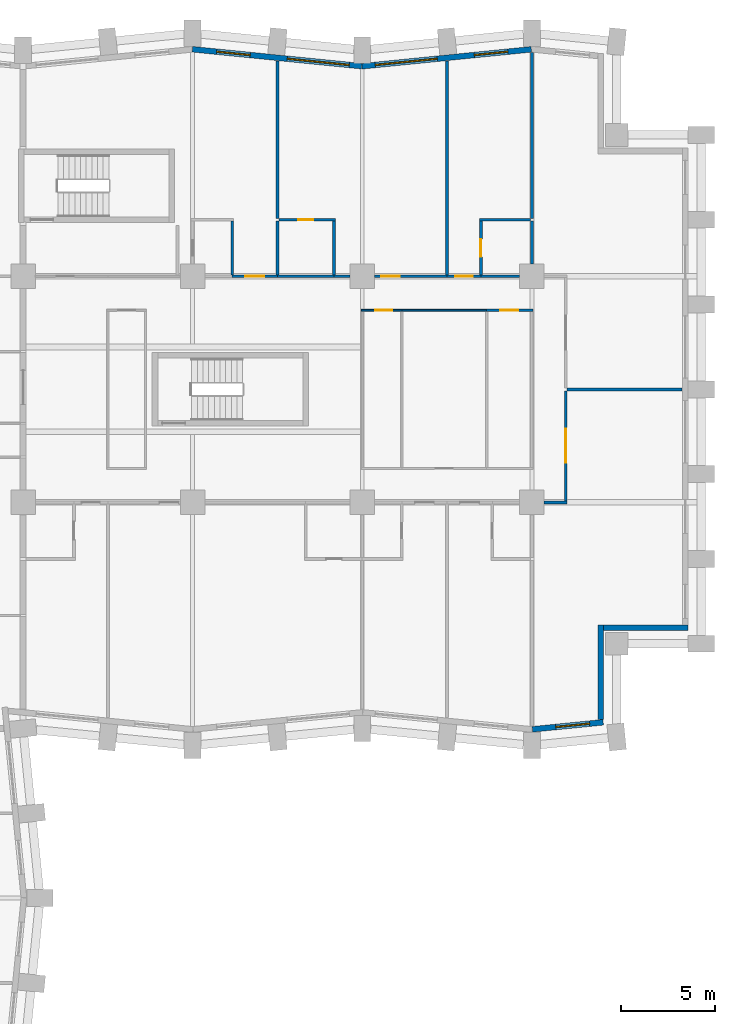
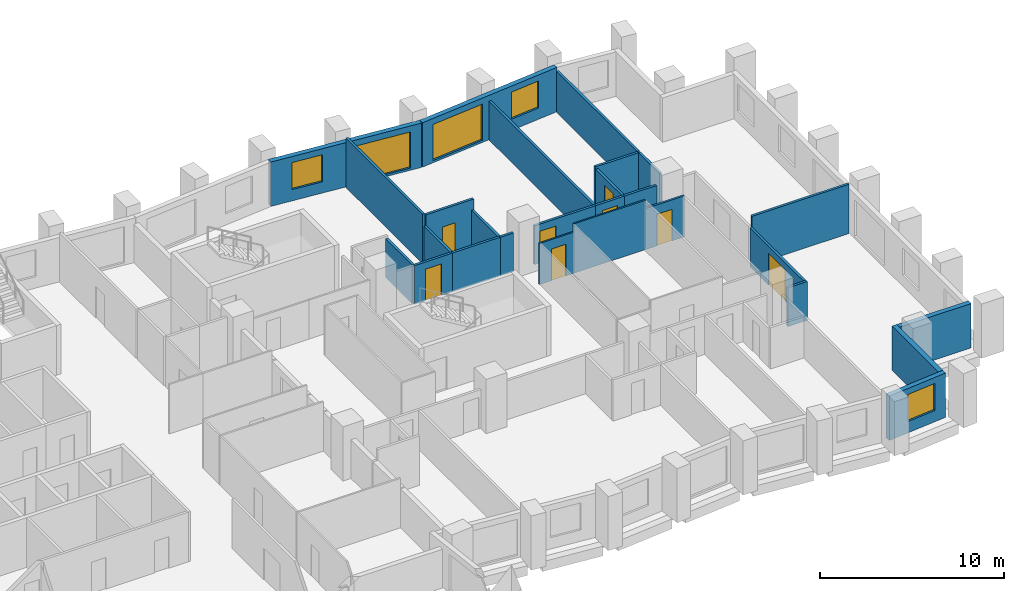
# One storey, part 9 of 12: 27 walls, 8 doors, 5 windows, 13 openings.
"""IFC4 building model written with IfcOpenShell, lengths in metres."""

from ifc_helpers import new_model, si_unit, direction, frame, frame_2d, origin, place, context, subcontext, project, spatial, rectangle, extrude, material, layer, layer_set, type_object, element, fill, save


model = new_model("IFC4")

# Units and contexts
model_context = context("Model", 3, precision=1e-05, world=origin(), true_north=direction((0.0, 1.0)))
body_context = subcontext(model_context, "Body", "Model", "MODEL_VIEW")
ifc_project = project(units=[si_unit("LENGTHUNIT", "METRE"), si_unit("AREAUNIT", "SQUARE_METRE"), si_unit("VOLUMEUNIT", "CUBIC_METRE"), si_unit("PLANEANGLEUNIT", "RADIAN"), si_unit("MASSUNIT", "GRAM", prefix="KILO")], contexts=[model_context])

# Site, building, storey
site_placement = place(None, origin())
site = spatial("IfcSite", under=ifc_project, at=site_placement, CompositionType="ELEMENT")
building_placement = place(site_placement, origin())
building = spatial("IfcBuilding", under=site, at=building_placement, Name="Brondeck Convention Tower", CompositionType="ELEMENT")
storey_placement = place(building_placement, frame((0.0, 0.0, 59.10009765625)))
storey = spatial("IfcBuildingStorey", under=building, at=storey_placement, Name="L12", CompositionType="ELEMENT", Elevation=59.10009765625)

# Wall, opening, window
ifc_material_1 = material(Name="Precast concrete C50/60 bronze finish", Category="concrete")
ifc_layer_1 = layer(ifc_material_1, 0.070068359375, Name="Bronze precast facing")
ifc_material_2 = material(Name="Mineral wool")
ifc_layer_2 = layer(ifc_material_2, 0.159912109375, Name="Insulation")
ifc_material_3 = material(Name="Concrete C35/45", Category="concrete")
ifc_layer_3 = layer(ifc_material_3, 0.070068359375, Name="Backing")
ifc_layer_set_1 = layer_set([ifc_layer_1, ifc_layer_2, ifc_layer_3], Name="External infill wall, precast concrete C50/60 bronze facing")
wall_type_1 = type_object("IfcWallType", Name="External infill wall, precast concrete C50/60 bronze facing", PredefinedType="SOLIDWALL", material=ifc_layer_set_1)
wall_1_placement = place(storey_placement, frame((66.78515625, 27.332763671875, 0.0), z_axis=(0.0, 0.0, 1.0), x_axis=(-0.995038471088, -0.099490909409, 0.0)))
wall_1 = element("IfcWall", 1, at=wall_1_placement, inside=storey, type_object=wall_type_1, Name="ENV-EW-L12-P0-A-S-06", PredefinedType="SOLIDWALL", context=body_context, shape_type="SweptSolid", body=[
    extrude(rectangle(XDim=3.774169921875, YDim=0.300048828125, at=frame_2d((1.88720703125, 0.0))), origin(), (0.0, 0.0, 1.0), 2.949951171875),
])
opening_1_placement = place(wall_1_placement, frame((0.727783203125, 0.0, 0.75)))
opening_1 = element("IfcOpeningElement", 2, at=opening_1_placement, cuts=wall_1, Name="Opening W10", PredefinedType="OPENING", context=body_context, shape_type="SweptSolid", body=[
    extrude(rectangle(XDim=1.800048828125, YDim=1.800048828125, at=frame_2d((0.89990234375, 0.89990234375))), frame((0.0, 0.159912109375, 0.0), z_axis=(0.0, -1.0, 0.0), x_axis=(1.0, 0.0, 0.0)), (0.0, 0.0, 1.0), 0.320068359375),
])
ifc_material_4 = material(Name="Bronze tinted double glazing", Category="glass")
window_type_1 = type_object("IfcWindowType", Name="Punched window, bronze tinted", PartitioningType="SINGLE_PANEL", PredefinedType="WINDOW", material=ifc_material_4)
window_1_placement = place(opening_1_placement, origin())
window_1 = element("IfcWindow", 3, at=window_1_placement, inside=storey, type_object=window_type_1, Name="ENV-WN-L12-P0-A-S-06", OverallHeight=1.800048828125, OverallWidth=1.800048828125, PartitioningType="SINGLE_PANEL", PredefinedType="WINDOW", context=body_context, shape_type="SweptSolid", body=[
    extrude(rectangle(XDim=1.800048828125, YDim=1.800048828125, at=frame_2d((0.89990234375, 0.89990234375))), frame((0.0, 0.030029296875, 0.0), z_axis=(0.0, -1.0, 0.0), x_axis=(1.0, 0.0, 0.0)), (0.0, 0.0, 1.0), 0.06005859375),
])
fill(opening_1, window_1)

# Walls
wall_2_placement = place(storey_placement, frame((66.64990234375, 32.5, 0.0), z_axis=(0.0, 0.0, 1.0), x_axis=(0.0, -1.0, 0.0)))
element("IfcWall", 4, at=wall_2_placement, inside=storey, type_object=wall_type_1, Name="ENV-EW-L12-P0-NC-SEA72-01", PredefinedType="SOLIDWALL", context=body_context, shape_type="SweptSolid", body=[
    extrude(rectangle(XDim=5.02880859375, YDim=0.300048828125, at=frame_2d((2.514404296875, 0.0))), origin(), (0.0, 0.0, 1.0), 2.949951171875),
])
wall_3_placement = place(storey_placement, frame((71.300048828125, 32.35009765625, 0.0), z_axis=(0.0, 0.0, 1.0), x_axis=(-1.0, 0.0, 0.0)))
element("IfcWall", 5, at=wall_3_placement, inside=storey, type_object=wall_type_1, Name="ENV-EW-L12-P0-NC-SEA72-02", PredefinedType="SOLIDWALL", context=body_context, shape_type="SweptSolid", body=[
    extrude(rectangle(XDim=4.5, YDim=0.300048828125, at=frame_2d((2.25, 0.0))), origin(), (0.0, 0.0, 1.0), 2.949951171875),
])

# Wall, openings, windows
wall_4_placement = place(storey_placement, frame((53.985107421875, 62.144287109375, 0.0), z_axis=(0.0, 0.0, 1.0), x_axis=(0.995037993253, 0.099495688264, 0.0)))
wall_4 = element("IfcWall", 6, at=wall_4_placement, inside=storey, type_object=wall_type_1, Name="ENV-EW-L12-P0-A-N-13", PredefinedType="SOLIDWALL", context=body_context, shape_type="SweptSolid", body=[
    extrude(rectangle(XDim=9.030029296875, YDim=0.300048828125, at=frame_2d((4.51513671875, 0.0))), origin(), (0.0, 0.0, 1.0), 2.949951171875),
])
opening_2_placement = place(wall_4_placement, frame((0.711181640625, 0.0, 0.14990234375)))
opening_2 = element("IfcOpeningElement", 7, at=opening_2_placement, cuts=wall_4, Name="Opening W9", PredefinedType="OPENING", context=body_context, shape_type="SweptSolid", body=[
    extrude(rectangle(XDim=3.300048828125, YDim=2.39990234375, at=frame_2d((1.64990234375, 1.199951171875))), frame((0.0, 0.159912109375, 0.0), z_axis=(0.0, -1.0, 0.0), x_axis=(1.0, 0.0, 0.0)), (0.0, 0.0, 1.0), 0.320068359375),
])
opening_3_placement = place(wall_4_placement, frame((5.983642578125, 0.0, 0.75)))
opening_3 = element("IfcOpeningElement", 8, at=opening_3_placement, cuts=wall_4, Name="Opening W10", PredefinedType="OPENING", context=body_context, shape_type="SweptSolid", body=[
    extrude(rectangle(XDim=1.800048828125, YDim=1.800048828125, at=frame_2d((0.89990234375, 0.89990234375))), frame((0.0, 0.159912109375, 0.0), z_axis=(0.0, -1.0, 0.0), x_axis=(1.0, 0.0, 0.0)), (0.0, 0.0, 1.0), 0.320068359375),
])
window_type_2 = type_object("IfcWindowType", Name="Glazed flute window, bronze tinted", PartitioningType="SINGLE_PANEL", PredefinedType="WINDOW", material=ifc_material_4)
window_2_placement = place(opening_2_placement, origin())
window_2 = element("IfcWindow", 9, at=window_2_placement, inside=storey, type_object=window_type_2, Name="ENV-WN-L12-P0-A-N-12", OverallHeight=2.39990234375, OverallWidth=3.300048828125, PartitioningType="SINGLE_PANEL", PredefinedType="WINDOW", context=body_context, shape_type="SweptSolid", body=[
    extrude(rectangle(XDim=3.300048828125, YDim=2.39990234375, at=frame_2d((1.64990234375, 1.199951171875))), frame((0.0, 0.030029296875, 0.0), z_axis=(0.0, -1.0, 0.0), x_axis=(1.0, 0.0, 0.0)), (0.0, 0.0, 1.0), 0.06005859375),
])
fill(opening_2, window_2)
window_3_placement = place(opening_3_placement, origin())
window_3 = element("IfcWindow", 10, at=window_3_placement, inside=storey, type_object=window_type_1, Name="ENV-WN-L12-P0-A-N-13", OverallHeight=1.800048828125, OverallWidth=1.800048828125, PartitioningType="SINGLE_PANEL", PredefinedType="WINDOW", context=body_context, shape_type="SweptSolid", body=[
    extrude(rectangle(XDim=1.800048828125, YDim=1.800048828125, at=frame_2d((0.89990234375, 0.89990234375))), frame((0.0, 0.030029296875, 0.0), z_axis=(0.0, -1.0, 0.0), x_axis=(1.0, 0.0, 0.0)), (0.0, 0.0, 1.0), 0.06005859375),
])
fill(opening_3, window_3)

wall_5_placement = place(storey_placement, frame((44.985107421875, 63.04736328125, 0.0), z_axis=(0.0, 0.0, 1.0), x_axis=(0.995035316196, -0.099522457379, 0.0)))
wall_5 = element("IfcWall", 11, at=wall_5_placement, inside=storey, type_object=wall_type_1, Name="ENV-EW-L12-P0-A-N-11", PredefinedType="SOLIDWALL", context=body_context, shape_type="SweptSolid", body=[
    extrude(rectangle(XDim=9.030029296875, YDim=0.300048828125, at=frame_2d((4.51513671875, 0.0))), origin(), (0.0, 0.0, 1.0), 2.949951171875),
])
opening_4_placement = place(wall_5_placement, frame((1.291259765625, 0.0, 0.75)))
opening_4 = element("IfcOpeningElement", 12, at=opening_4_placement, cuts=wall_5, Name="Opening W10", PredefinedType="OPENING", context=body_context, shape_type="SweptSolid", body=[
    extrude(rectangle(XDim=1.800048828125, YDim=1.800048828125, at=frame_2d((0.89990234375, 0.89990234375))), frame((0.0, 0.159912109375, 0.0), z_axis=(0.0, -1.0, 0.0), x_axis=(1.0, 0.0, 0.0)), (0.0, 0.0, 1.0), 0.320068359375),
])
opening_5_placement = place(wall_5_placement, frame((5.063720703125, 0.0, 0.14990234375)))
opening_5 = element("IfcOpeningElement", 13, at=opening_5_placement, cuts=wall_5, Name="Opening W9", PredefinedType="OPENING", context=body_context, shape_type="SweptSolid", body=[
    extrude(rectangle(XDim=3.300048828125, YDim=2.39990234375, at=frame_2d((1.64990234375, 1.199951171875))), frame((0.0, 0.159912109375, 0.0), z_axis=(0.0, -1.0, 0.0), x_axis=(1.0, 0.0, 0.0)), (0.0, 0.0, 1.0), 0.320068359375),
])
window_4_placement = place(opening_5_placement, origin())
window_4 = element("IfcWindow", 14, at=window_4_placement, inside=storey, type_object=window_type_2, Name="ENV-WN-L12-P0-A-N-11", OverallHeight=2.39990234375, OverallWidth=3.300048828125, PartitioningType="SINGLE_PANEL", PredefinedType="WINDOW", context=body_context, shape_type="SweptSolid", body=[
    extrude(rectangle(XDim=3.300048828125, YDim=2.39990234375, at=frame_2d((1.64990234375, 1.199951171875))), frame((0.0, 0.030029296875, 0.0), z_axis=(0.0, -1.0, 0.0), x_axis=(1.0, 0.0, 0.0)), (0.0, 0.0, 1.0), 0.06005859375),
])
fill(opening_5, window_4)
window_5_placement = place(opening_4_placement, origin())
window_5 = element("IfcWindow", 15, at=window_5_placement, inside=storey, type_object=window_type_1, Name="ENV-WN-L12-P0-A-N-10", OverallHeight=1.800048828125, OverallWidth=1.800048828125, PartitioningType="SINGLE_PANEL", PredefinedType="WINDOW", context=body_context, shape_type="SweptSolid", body=[
    extrude(rectangle(XDim=1.800048828125, YDim=1.800048828125, at=frame_2d((0.89990234375, 0.89990234375))), frame((0.0, 0.030029296875, 0.0), z_axis=(0.0, -1.0, 0.0), x_axis=(1.0, 0.0, 0.0)), (0.0, 0.0, 1.0), 0.06005859375),
])
fill(opening_4, window_5)

# Wall
ifc_material_5 = material(Name="Double gypsum board acoustic wall")
ifc_layer_4 = layer(ifc_material_5, 0.14990234375)
ifc_layer_set_2 = layer_set([ifc_layer_4], Name="Guest room party wall 150")
wall_type_2 = type_object("IfcWallType", Name="Guest room party wall 150", PredefinedType="PARTITIONING", material=ifc_layer_set_2)
wall_6_placement = place(storey_placement, frame((64.875, 39.0, 0.0), z_axis=(0.0, 0.0, 1.0), x_axis=(-1.0, 0.0, 0.0)))
element("IfcWall", 16, at=wall_6_placement, inside=storey, type_object=wall_type_2, Name="FLR-L12-W072", PredefinedType="PARTITIONING", context=body_context, shape_type="SweptSolid", body=[
    extrude(rectangle(XDim=1.219970703125, YDim=0.14990234375, at=frame_2d((0.60986328125, 0.0))), origin(), (0.0, 0.0, 1.0), 2.579833984375),
])

# Wall, opening, door
wall_7_placement = place(storey_placement, frame((64.800048828125, 44.925048828125, 0.0), z_axis=(0.0, 0.0, 1.0), x_axis=(0.0, -1.0, 0.0)))
wall_7 = element("IfcWall", 17, at=wall_7_placement, inside=storey, type_object=wall_type_2, Name="FLR-L12-W084", PredefinedType="PARTITIONING", context=body_context, shape_type="SweptSolid", body=[
    extrude(rectangle(XDim=5.85009765625, YDim=0.14990234375, at=frame_2d((2.925048828125, 0.0))), origin(), (0.0, 0.0, 1.0), 2.579833984375),
])
opening_6_placement = place(wall_7_placement, frame((2.02490234375, 0.0, 0.0)))
opening_6 = element("IfcOpeningElement", 18, at=opening_6_placement, cuts=wall_7, Name="Opening H3-021", PredefinedType="OPENING", context=body_context, shape_type="SweptSolid", body=[
    extrude(rectangle(XDim=1.800048828125, YDim=2.10009765625, at=frame_2d((0.89990234375, 1.050048828125))), frame((0.0, 0.0849609375, 0.0), z_axis=(0.0, -1.0, 0.0), x_axis=(1.0, 0.0, 0.0)), (0.0, 0.0, 1.0), 0.169921875),
])
ifc_material_6 = material(Name="Glazed timber double door", Category="wood")
door_type_1 = type_object("IfcDoorType", Name="Double door 1800", OperationType="DOUBLE_DOOR_SINGLE_SWING", PredefinedType="DOOR", material=ifc_material_6)
door_1_placement = place(opening_6_placement, origin())
door_1 = element("IfcDoor", 19, at=door_1_placement, inside=storey, type_object=door_type_1, Name="Door H3-021", OperationType="DOUBLE_DOOR_SINGLE_SWING", OverallHeight=2.10009765625, OverallWidth=1.800048828125, PredefinedType="DOOR", context=body_context, shape_type="SweptSolid", body=[
    extrude(rectangle(XDim=1.800048828125, YDim=2.10009765625, at=frame_2d((0.89990234375, 1.050048828125))), frame((0.0, 0.02490234375, 0.0), z_axis=(0.0, -1.0, 0.0), x_axis=(1.0, 0.0, 0.0)), (0.0, 0.0, 1.0), 0.050048828125),
])
fill(opening_6, door_1)

# Wall
wall_8_placement = place(storey_placement, frame((70.97998046875, 45.0, 0.0), z_axis=(0.0, 0.0, 1.0), x_axis=(-1.0, 0.0, 0.0)))
element("IfcWall", 20, at=wall_8_placement, inside=storey, type_object=wall_type_2, Name="FLR-L12-W085", PredefinedType="PARTITIONING", context=body_context, shape_type="SweptSolid", body=[
    extrude(rectangle(XDim=6.10498046875, YDim=0.14990234375, at=frame_2d((3.052490234375, 0.0))), origin(), (0.0, 0.0, 1.0), 3.27978515625),
])

# Wall, opening, door
wall_9_placement = place(storey_placement, frame((47.10009765625, 51.0, 0.0), z_axis=(0.0, 0.0, 1.0), x_axis=(1.0, 0.0, 0.0)))
wall_9 = element("IfcWall", 21, at=wall_9_placement, inside=storey, type_object=wall_type_2, Name="FLR-L12-W106", PredefinedType="PARTITIONING", context=body_context, shape_type="SweptSolid", body=[
    extrude(rectangle(XDim=2.39990234375, YDim=0.14990234375, at=frame_2d((1.199951171875, 0.0))), origin(), (0.0, 0.0, 1.0), 2.579833984375),
])
opening_7_placement = place(wall_9_placement, frame((0.699951171875, 0.0, 0.0)))
opening_7 = element("IfcOpeningElement", 22, at=opening_7_placement, cuts=wall_9, Name="Opening H3-002", PredefinedType="OPENING", context=body_context, shape_type="SweptSolid", body=[
    extrude(rectangle(XDim=1.0, YDim=2.10009765625, at=frame_2d((0.5, 1.050048828125))), frame((0.0, 0.0849609375, 0.0), z_axis=(0.0, -1.0, 0.0), x_axis=(1.0, 0.0, 0.0)), (0.0, 0.0, 1.0), 0.169921875),
])
ifc_material_7 = material(Name="Solid timber fire door leaf", Category="wood")
door_type_2 = type_object("IfcDoorType", Name="Guest room door 1000", OperationType="NOTDEFINED", PredefinedType="DOOR", material=ifc_material_7)
door_2_placement = place(opening_7_placement, origin())
door_2 = element("IfcDoor", 23, at=door_2_placement, inside=storey, type_object=door_type_2, Name="Door H3-002", OperationType="SINGLE_SWING_LEFT", OverallHeight=2.10009765625, OverallWidth=1.0, PredefinedType="DOOR", context=body_context, shape_type="SweptSolid", body=[
    extrude(rectangle(XDim=1.0, YDim=2.10009765625, at=frame_2d((0.5, 1.050048828125))), frame((0.0, 0.02490234375, 0.0), z_axis=(0.0, -1.0, 0.0), x_axis=(1.0, 0.0, 0.0)), (0.0, 0.0, 1.0), 0.050048828125),
])
fill(opening_7, door_2)

# Walls
wall_10_placement = place(storey_placement, frame((49.5, 51.0, 0.0), z_axis=(0.0, 0.0, 1.0), x_axis=(1.0, 0.0, 0.0)))
element("IfcWall", 24, at=wall_10_placement, inside=storey, type_object=wall_type_2, Name="FLR-L12-W107", PredefinedType="PARTITIONING", context=body_context, shape_type="SweptSolid", body=[
    extrude(rectangle(XDim=3.0, YDim=0.14990234375, at=frame_2d((1.5, 0.0))), origin(), (0.0, 0.0, 1.0), 2.579833984375),
])
wall_11_placement = place(storey_placement, frame((52.5, 51.0, 0.0), z_axis=(0.0, 0.0, 1.0), x_axis=(1.0, 0.0, 0.0)))
element("IfcWall", 25, at=wall_11_placement, inside=storey, type_object=wall_type_2, Name="FLR-L12-W108", PredefinedType="PARTITIONING", context=body_context, shape_type="SweptSolid", body=[
    extrude(rectangle(XDim=0.844970703125, YDim=0.14990234375, at=frame_2d((0.42236328125, 0.0))), origin(), (0.0, 0.0, 1.0), 2.579833984375),
])

# Wall, opening, door
wall_12_placement = place(storey_placement, frame((54.655029296875, 51.0, 0.0), z_axis=(0.0, 0.0, 1.0), x_axis=(1.0, 0.0, 0.0)))
wall_12 = element("IfcWall", 26, at=wall_12_placement, inside=storey, type_object=wall_type_2, Name="FLR-L12-W109", PredefinedType="PARTITIONING", context=body_context, shape_type="SweptSolid", body=[
    extrude(rectangle(XDim=3.844970703125, YDim=0.14990234375, at=frame_2d((1.92236328125, 0.0))), origin(), (0.0, 0.0, 1.0), 2.579833984375),
])
opening_8_placement = place(wall_12_placement, frame((0.344970703125, 0.0, 0.0)))
opening_8 = element("IfcOpeningElement", 27, at=opening_8_placement, cuts=wall_12, Name="Opening H3-004", PredefinedType="OPENING", context=body_context, shape_type="SweptSolid", body=[
    extrude(rectangle(XDim=1.0, YDim=2.10009765625, at=frame_2d((0.5, 1.050048828125))), frame((0.0, 0.0849609375, 0.0), z_axis=(0.0, -1.0, 0.0), x_axis=(1.0, 0.0, 0.0)), (0.0, 0.0, 1.0), 0.169921875),
])
door_3_placement = place(opening_8_placement, origin())
door_3 = element("IfcDoor", 28, at=door_3_placement, inside=storey, type_object=door_type_2, Name="Door H3-004", OperationType="SINGLE_SWING_RIGHT", OverallHeight=2.10009765625, OverallWidth=1.0, PredefinedType="DOOR", context=body_context, shape_type="SweptSolid", body=[
    extrude(rectangle(XDim=1.0, YDim=2.10009765625, at=frame_2d((0.5, 1.050048828125))), frame((0.0, 0.02490234375, 0.0), z_axis=(0.0, -1.0, 0.0), x_axis=(1.0, 0.0, 0.0)), (0.0, 0.0, 1.0), 0.050048828125),
])
fill(opening_8, door_3)

wall_13_placement = place(storey_placement, frame((58.5, 51.0, 0.0), z_axis=(0.0, 0.0, 1.0), x_axis=(1.0, 0.0, 0.0)))
wall_13 = element("IfcWall", 29, at=wall_13_placement, inside=storey, type_object=wall_type_2, Name="FLR-L12-W110", PredefinedType="PARTITIONING", context=body_context, shape_type="SweptSolid", body=[
    extrude(rectangle(XDim=1.800048828125, YDim=0.14990234375, at=frame_2d((0.89990234375, 0.0))), origin(), (0.0, 0.0, 1.0), 2.579833984375),
])
opening_9_placement = place(wall_13_placement, frame((0.425048828125, 0.0, 0.0)))
opening_9 = element("IfcOpeningElement", 30, at=opening_9_placement, cuts=wall_13, Name="Opening H3-006", PredefinedType="OPENING", context=body_context, shape_type="SweptSolid", body=[
    extrude(rectangle(XDim=0.949951171875, YDim=2.10009765625, at=frame_2d((0.47509765625, 1.050048828125))), frame((0.0, 0.0849609375, 0.0), z_axis=(0.0, -1.0, 0.0), x_axis=(1.0, 0.0, 0.0)), (0.0, 0.0, 1.0), 0.169921875),
])
ifc_material_8 = material(Name="Solid timber door leaf", Category="wood")
door_type_3 = type_object("IfcDoorType", Name="Accessible door 950", OperationType="NOTDEFINED", PredefinedType="DOOR", material=ifc_material_8)
door_4_placement = place(opening_9_placement, origin())
door_4 = element("IfcDoor", 31, at=door_4_placement, inside=storey, type_object=door_type_3, Name="Door H3-006", OperationType="SINGLE_SWING_LEFT", OverallHeight=2.10009765625, OverallWidth=0.949951171875, PredefinedType="DOOR", context=body_context, shape_type="SweptSolid", body=[
    extrude(rectangle(XDim=0.949951171875, YDim=2.10009765625, at=frame_2d((0.47509765625, 1.050048828125))), frame((0.0, 0.02490234375, 0.0), z_axis=(0.0, -1.0, 0.0), x_axis=(1.0, 0.0, 0.0)), (0.0, 0.0, 1.0), 0.050048828125),
])
fill(opening_9, door_4)

# Walls
wall_14_placement = place(storey_placement, frame((60.300048828125, 51.0, 0.0), z_axis=(0.0, 0.0, 1.0), x_axis=(1.0, 0.0, 0.0)))
element("IfcWall", 32, at=wall_14_placement, inside=storey, type_object=wall_type_2, Name="FLR-L12-W111", PredefinedType="PARTITIONING", context=body_context, shape_type="SweptSolid", body=[
    extrude(rectangle(XDim=2.044921875, YDim=0.14990234375, at=frame_2d((1.0224609375, 0.0))), origin(), (0.0, 0.0, 1.0), 2.579833984375),
])
for number, where, z_axis, x_axis, name in (
    (33, (47.10009765625, 51.074951171875, 0.0), (0.0, 0.0, 1.0), (0.0, 1.0, 0.0), "FLR-L12-W114"),
    (34, (52.5, 51.074951171875, 0.0), (0.0, 0.0, 1.0), (0.0, 1.0, 0.0), "FLR-L12-W115"),
    (35, (49.5, 53.925048828125, 0.0), (0.0, 0.0, 1.0), (0.0, -1.0, 0.0), "FLR-L12-W120"),
):
    element("IfcWall", number, at=place(storey_placement, frame(where, z_axis=z_axis, x_axis=x_axis)), inside=storey, type_object=wall_type_2, Name=name, PredefinedType="PARTITIONING", context=body_context, shape_type="SweptSolid", body=[
        extrude(rectangle(XDim=2.85009765625, YDim=0.14990234375, at=frame_2d((1.425048828125, 0.0))), origin(), (0.0, 0.0, 1.0), 2.579833984375),
    ])

# Wall, opening, door
wall_15_placement = place(storey_placement, frame((60.300048828125, 53.925048828125, 0.0), z_axis=(0.0, 0.0, 1.0), x_axis=(0.0, -1.0, 0.0)))
wall_15 = element("IfcWall", 36, at=wall_15_placement, inside=storey, type_object=wall_type_2, Name="FLR-L12-W121", PredefinedType="PARTITIONING", context=body_context, shape_type="SweptSolid", body=[
    extrude(rectangle(XDim=2.85009765625, YDim=0.14990234375, at=frame_2d((1.425048828125, 0.0))), origin(), (0.0, 0.0, 1.0), 2.579833984375),
])
opening_10_placement = place(wall_15_placement, frame((0.949951171875, 0.0, 0.0)))
opening_10 = element("IfcOpeningElement", 37, at=opening_10_placement, cuts=wall_15, Name="Opening H3-007", PredefinedType="OPENING", context=body_context, shape_type="SweptSolid", body=[
    extrude(rectangle(XDim=0.949951171875, YDim=2.10009765625, at=frame_2d((0.47509765625, 1.050048828125))), frame((0.0, 0.0849609375, 0.0), z_axis=(0.0, -1.0, 0.0), x_axis=(1.0, 0.0, 0.0)), (0.0, 0.0, 1.0), 0.169921875),
])
door_5_placement = place(opening_10_placement, origin())
door_5 = element("IfcDoor", 38, at=door_5_placement, inside=storey, type_object=door_type_3, Name="Door H3-007", OperationType="SINGLE_SWING_LEFT", OverallHeight=2.10009765625, OverallWidth=0.949951171875, PredefinedType="DOOR", context=body_context, shape_type="SweptSolid", body=[
    extrude(rectangle(XDim=0.949951171875, YDim=2.10009765625, at=frame_2d((0.47509765625, 1.050048828125))), frame((0.0, 0.02490234375, 0.0), z_axis=(0.0, -1.0, 0.0), x_axis=(1.0, 0.0, 0.0)), (0.0, 0.0, 1.0), 0.050048828125),
])
fill(opening_10, door_5)

# Wall
wall_16_placement = place(storey_placement, frame((63.0, 53.925048828125, 0.0), z_axis=(0.0, 0.0, 1.0), x_axis=(0.0, -1.0, 0.0)))
element("IfcWall", 39, at=wall_16_placement, inside=storey, type_object=wall_type_2, Name="FLR-L12-W122", PredefinedType="PARTITIONING", context=body_context, shape_type="SweptSolid", body=[
    extrude(rectangle(XDim=2.27001953125, YDim=0.14990234375, at=frame_2d((1.135009765625, 0.0))), origin(), (0.0, 0.0, 1.0), 2.72998046875),
])

# Wall, opening, door
wall_17_placement = place(storey_placement, frame((52.574951171875, 54.0, 0.0), z_axis=(0.0, 0.0, 1.0), x_axis=(-1.0, 0.0, 0.0)))
wall_17 = element("IfcWall", 40, at=wall_17_placement, inside=storey, type_object=wall_type_2, Name="FLR-L12-W125", PredefinedType="PARTITIONING", context=body_context, shape_type="SweptSolid", body=[
    extrude(rectangle(XDim=3.0, YDim=0.14990234375, at=frame_2d((1.5, 0.0))), origin(), (0.0, 0.0, 1.0), 3.27978515625),
])
opening_11_placement = place(wall_17_placement, frame((1.175048828125, 0.0, 0.0)))
opening_11 = element("IfcOpeningElement", 41, at=opening_11_placement, cuts=wall_17, Name="Opening H3-005", PredefinedType="OPENING", context=body_context, shape_type="SweptSolid", body=[
    extrude(rectangle(XDim=0.800048828125, YDim=2.10009765625, at=frame_2d((0.39990234375, 1.050048828125))), frame((0.0, 0.0849609375, 0.0), z_axis=(0.0, -1.0, 0.0), x_axis=(1.0, 0.0, 0.0)), (0.0, 0.0, 1.0), 0.169921875),
])
door_type_4 = type_object("IfcDoorType", Name="En-suite door 800", OperationType="NOTDEFINED", PredefinedType="DOOR", material=ifc_material_8)
door_6_placement = place(opening_11_placement, origin())
door_6 = element("IfcDoor", 42, at=door_6_placement, inside=storey, type_object=door_type_4, Name="Door H3-005", OperationType="SINGLE_SWING_RIGHT", OverallHeight=2.10009765625, OverallWidth=0.800048828125, PredefinedType="DOOR", context=body_context, shape_type="SweptSolid", body=[
    extrude(rectangle(XDim=0.800048828125, YDim=2.10009765625, at=frame_2d((0.39990234375, 1.050048828125))), frame((0.0, 0.02490234375, 0.0), z_axis=(0.0, -1.0, 0.0), x_axis=(1.0, 0.0, 0.0)), (0.0, 0.0, 1.0), 0.050048828125),
])
fill(opening_11, door_6)

# Walls
wall_18_placement = place(storey_placement, frame((62.925048828125, 54.0, 0.0), z_axis=(0.0, 0.0, 1.0), x_axis=(-1.0, 0.0, 0.0)))
element("IfcWall", 43, at=wall_18_placement, inside=storey, type_object=wall_type_2, Name="FLR-L12-W126", PredefinedType="PARTITIONING", context=body_context, shape_type="SweptSolid", body=[
    extrude(rectangle(XDim=2.699951171875, YDim=0.14990234375, at=frame_2d((1.35009765625, 0.0))), origin(), (0.0, 0.0, 1.0), 2.72998046875),
])
wall_19_placement = place(storey_placement, frame((49.5, 62.425048828125, 0.0), z_axis=(0.0, 0.0, 1.0), x_axis=(0.0, -1.0, 0.0)))
element("IfcWall", 44, at=wall_19_placement, inside=storey, type_object=wall_type_2, Name="FLR-L12-W129", PredefinedType="PARTITIONING", context=body_context, shape_type="SweptSolid", body=[
    extrude(rectangle(XDim=8.35009765625, YDim=0.14990234375, at=frame_2d((4.175048828125, 0.0))), origin(), (0.0, 0.0, 1.0), 3.27978515625),
])
wall_20_placement = place(storey_placement, frame((58.5, 62.425048828125, 0.0), z_axis=(0.0, 0.0, 1.0), x_axis=(0.0, -1.0, 0.0)))
element("IfcWall", 45, at=wall_20_placement, inside=storey, type_object=wall_type_2, Name="FLR-L12-W130", PredefinedType="PARTITIONING", context=body_context, shape_type="SweptSolid", body=[
    extrude(rectangle(XDim=11.35009765625, YDim=0.14990234375, at=frame_2d((5.675048828125, 0.0))), origin(), (0.0, 0.0, 1.0), 2.579833984375),
])
wall_21_placement = place(storey_placement, frame((63.0, 62.875, 0.0), z_axis=(0.0, 0.0, 1.0), x_axis=(0.0, -1.0, 0.0)))
element("IfcWall", 46, at=wall_21_placement, inside=storey, type_object=wall_type_2, Name="FLR-L12-W131", PredefinedType="PARTITIONING", context=body_context, shape_type="SweptSolid", body=[
    extrude(rectangle(XDim=8.800048828125, YDim=0.14990234375, at=frame_2d((4.39990234375, 0.0))), origin(), (0.0, 0.0, 1.0), 2.72998046875),
])

# Wall, opening, door
ifc_material_9 = material(Name="Gypsum board shaft wall on steel studs", Category="steel")
ifc_layer_5 = layer(ifc_material_9, 0.125)
ifc_layer_set_3 = layer_set([ifc_layer_5], Name="Riser wall 125")
wall_type_3 = type_object("IfcWallType", Name="Riser wall 125", PredefinedType="PARTITIONING", material=ifc_layer_set_3)
wall_22_placement = place(storey_placement, frame((63.0625, 49.199951171875, 0.0), z_axis=(0.0, 0.0, 1.0), x_axis=(-1.0, 0.0, 0.0)))
wall_22 = element("IfcWall", 47, at=wall_22_placement, inside=storey, type_object=wall_type_3, Name="FLR-L12-W097", PredefinedType="PARTITIONING", context=body_context, shape_type="SweptSolid", body=[
    extrude(rectangle(XDim=2.46240234375, YDim=0.125, at=frame_2d((1.231201171875, 0.0))), origin(), (0.0, 0.0, 1.0), 2.72998046875),
])
opening_12_placement = place(wall_22_placement, frame((0.78759765625, 0.0, 0.0)))
opening_12 = element("IfcOpeningElement", 48, at=opening_12_placement, cuts=wall_22, Name="Opening H3-019", PredefinedType="OPENING", context=body_context, shape_type="SweptSolid", body=[
    extrude(rectangle(XDim=0.949951171875, YDim=2.10009765625, at=frame_2d((0.47509765625, 1.050048828125))), frame((0.0, 0.072509765625, 0.0), z_axis=(0.0, -1.0, 0.0), x_axis=(1.0, 0.0, 0.0)), (0.0, 0.0, 1.0), 0.14501953125),
])
door_7_placement = place(opening_12_placement, origin())
door_7 = element("IfcDoor", 49, at=door_7_placement, inside=storey, type_object=door_type_3, Name="Door H3-019", OperationType="SINGLE_SWING_RIGHT", OverallHeight=2.10009765625, OverallWidth=0.949951171875, PredefinedType="DOOR", context=body_context, shape_type="SweptSolid", body=[
    extrude(rectangle(XDim=0.949951171875, YDim=2.10009765625, at=frame_2d((0.47509765625, 1.050048828125))), frame((0.0, 0.02490234375, 0.0), z_axis=(0.0, -1.0, 0.0), x_axis=(1.0, 0.0, 0.0)), (0.0, 0.0, 1.0), 0.050048828125),
])
fill(opening_12, door_7)

ifc_material_10 = material(Name="Gypsum board partition on steel studs", Category="steel")
ifc_layer_6 = layer(ifc_material_10, 0.10009765625)
ifc_layer_set_4 = layer_set([ifc_layer_6], Name="Room partition 100")
wall_type_4 = type_object("IfcWallType", Name="Room partition 100", PredefinedType="PARTITIONING", material=ifc_layer_set_4)
wall_23_placement = place(storey_placement, frame((56.10009765625, 49.199951171875, 0.0), z_axis=(0.0, 0.0, 1.0), x_axis=(-1.0, 0.0, 0.0)))
wall_23 = element("IfcWall", 50, at=wall_23_placement, inside=storey, type_object=wall_type_4, Name="FLR-L12-W095", PredefinedType="PARTITIONING", context=body_context, shape_type="SweptSolid", body=[
    extrude(rectangle(XDim=2.150146484375, YDim=0.10009765625, at=frame_2d((1.0751953125, 0.0))), origin(), (0.0, 0.0, 1.0), 2.72998046875),
])
opening_13_placement = place(wall_23_placement, frame((0.5, 0.0, 0.0)))
opening_13 = element("IfcOpeningElement", 51, at=opening_13_placement, cuts=wall_23, Name="Opening H3-017", PredefinedType="OPENING", context=body_context, shape_type="SweptSolid", body=[
    extrude(rectangle(XDim=0.89990234375, YDim=2.10009765625, at=frame_2d((0.449951171875, 1.050048828125))), frame((0.0, 0.06005859375, 0.0), z_axis=(0.0, -1.0, 0.0), x_axis=(1.0, 0.0, 0.0)), (0.0, 0.0, 1.0), 0.1201171875),
])
door_type_5 = type_object("IfcDoorType", Name="Single door 900", OperationType="NOTDEFINED", PredefinedType="DOOR", material=ifc_material_8)
door_8_placement = place(opening_13_placement, origin())
door_8 = element("IfcDoor", 52, at=door_8_placement, inside=storey, type_object=door_type_5, Name="Door H3-017", OperationType="SINGLE_SWING_LEFT", OverallHeight=2.10009765625, OverallWidth=0.89990234375, PredefinedType="DOOR", context=body_context, shape_type="SweptSolid", body=[
    extrude(rectangle(XDim=0.89990234375, YDim=2.10009765625, at=frame_2d((0.449951171875, 1.050048828125))), frame((0.0, 0.02490234375, 0.0), z_axis=(0.0, -1.0, 0.0), x_axis=(1.0, 0.0, 0.0)), (0.0, 0.0, 1.0), 0.050048828125),
])
fill(opening_13, door_8)

# Wall
wall_24_placement = place(storey_placement, frame((60.60009765625, 49.199951171875, 0.0), z_axis=(0.0, 0.0, 1.0), x_axis=(-1.0, 0.0, 0.0)))
element("IfcWall", 53, at=wall_24_placement, inside=storey, type_object=wall_type_4, Name="FLR-L12-W096", PredefinedType="PARTITIONING", context=body_context, shape_type="SweptSolid", body=[
    extrude(rectangle(XDim=4.5, YDim=0.10009765625, at=frame_2d((2.25, 0.0))), origin(), (0.0, 0.0, 1.0), 3.27978515625),
])

save(model, "model.ifc")
